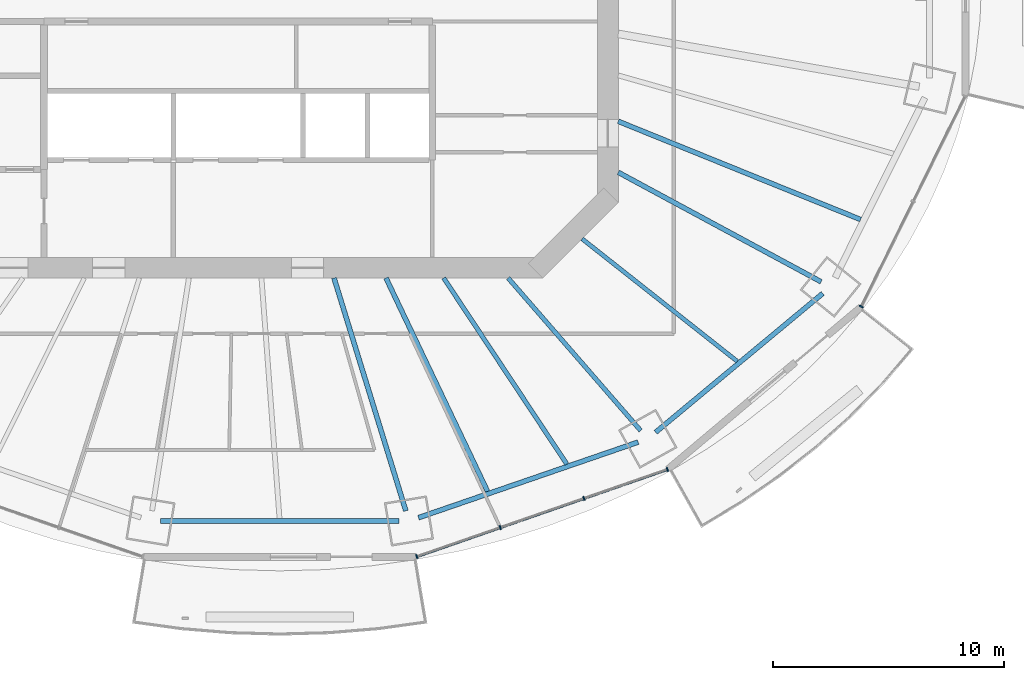
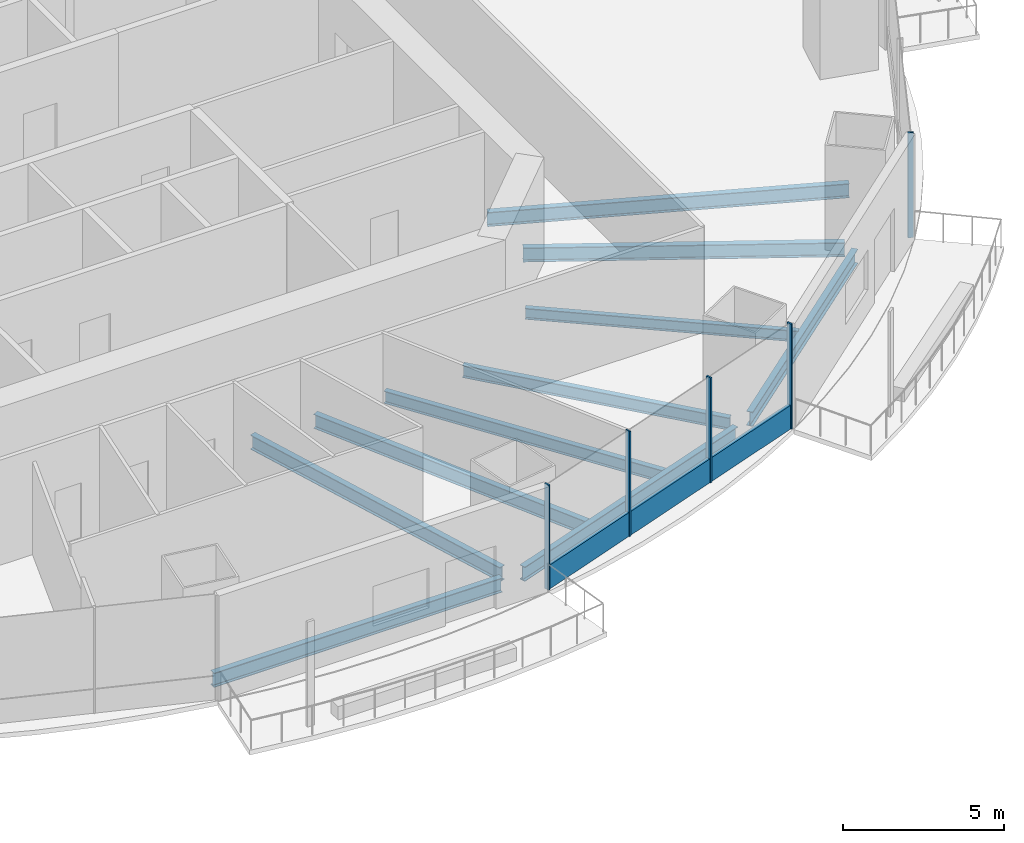
# One storey, part 4 of 19: 10 beams, 6 members, 2 elements without a shape of their own.
"""IFC4 building model written with IfcOpenShell, lengths in metres."""

import ifcopenshell
import ifcopenshell.guid

model = None  # the IFC model being written
_history = None  # IfcOwnerHistory: only IFC2X3 demands one
_inside = {}  # id of a spatial element -> (the spatial element, [elements in it])
_under = {}  # id of a project, library or spatial element -> (it, [spatial elements below it])
_declared = {}  # id of a project -> (the project, [libraries it declares])
_typed = {}  # id of a type object -> (the type object, [elements of that type])
_made_of = {}  # id of a material, layer set ... -> (it, [elements and type objects made of it])


def new_model(schema):
    """Start an empty IFC model of exactly this schema.

    Asked for "IFC4X3", IfcOpenShell would pick the latest addendum, in which some entities
    have other attributes; the version numbers below select the first issue.
    IFC2X3 requires an IfcOwnerHistory on every rooted entity: one is made here for all.
    """
    global model, _history
    if schema == "IFC4X3":
        model = ifcopenshell.file(schema_version=(4, 3, 0, 0))
    else:
        model = ifcopenshell.file(schema=schema)
    _inside.clear()
    _under.clear()
    _declared.clear()
    _typed.clear()
    _made_of.clear()
    _history = None
    if model.schema == "IFC2X3":
        org = make("IfcOrganization", Name="unknown")
        user = make(
            "IfcPersonAndOrganization",
            ThePerson=make("IfcPerson", FamilyName="unknown"),
            TheOrganization=org,
        )
        app = make(
            "IfcApplication",
            ApplicationDeveloper=org,
            Version="unknown",
            ApplicationFullName="unknown",
            ApplicationIdentifier="unknown",
        )
        _history = make(
            "IfcOwnerHistory",
            OwningUser=user,
            OwningApplication=app,
            ChangeAction="ADDED",
            CreationDate=0,
        )
    return model


def make(cls, **values):
    """One entity of the class cls with the attributes given. An attribute that is None is left unset."""
    return model.create_entity(
        cls, **{name: value for name, value in values.items() if value is not None}
    )


def rooted(cls, **values):
    """An entity with a GlobalId (a new one), such as an element, a storey or a relation."""
    return make(cls, GlobalId=ifcopenshell.guid.new(), OwnerHistory=_history, **values)


def si_unit(unit_type, name, prefix=None):
    """IfcSIUnit, for example si_unit("LENGTHUNIT", "METRE", prefix="MILLI")."""
    return make("IfcSIUnit", UnitType=unit_type, Prefix=prefix, Name=name)


def assignment(units):
    """IfcUnitAssignment: the units of a project."""
    return None if units is None else make("IfcUnitAssignment", Units=units)


def point(xyz):
    """IfcCartesianPoint."""
    return None if xyz is None else make("IfcCartesianPoint", Coordinates=xyz)


def direction(xyz):
    """IfcDirection."""
    return None if xyz is None else make("IfcDirection", DirectionRatios=xyz)


def frame(location, z_axis=None, x_axis=None):
    """IfcAxis2Placement3D, a coordinate frame: its origin and axes. An axis left out is left unset."""
    return make(
        "IfcAxis2Placement3D",
        Location=point(location),
        Axis=direction(z_axis),
        RefDirection=direction(x_axis),
    )


def frame_2d(location, x_axis=None):
    """IfcAxis2Placement2D, a coordinate frame in the plane: its origin and x axis."""
    return make(
        "IfcAxis2Placement2D", Location=point(location), RefDirection=direction(x_axis)
    )


def origin():
    """The frame at (0, 0, 0) with its axes left unset."""
    return frame((0.0, 0.0, 0.0))


def origin_2d():
    """The frame at (0, 0) in the plane with its x axis left unset."""
    return frame_2d((0.0, 0.0))


def place(relative_to, where):
    """IfcLocalPlacement: puts the frame where relative to a parent placement (None: the world)."""
    return make(
        "IfcLocalPlacement", PlacementRelTo=relative_to, RelativePlacement=where
    )


def context(
    kind, dimensions, precision=None, world=None, true_north=None, identifier=None
):
    """IfcGeometricRepresentationContext, for example the 3D "Model" context."""
    return make(
        "IfcGeometricRepresentationContext",
        ContextIdentifier=identifier,
        ContextType=kind,
        CoordinateSpaceDimension=dimensions,
        Precision=precision,
        WorldCoordinateSystem=world,
        TrueNorth=true_north,
    )


def subcontext(parent, identifier, kind, view, scale=None):
    """IfcGeometricRepresentationSubContext, for example "Body" below "Model"."""
    return make(
        "IfcGeometricRepresentationSubContext",
        ContextIdentifier=identifier,
        ContextType=kind,
        ParentContext=parent,
        TargetScale=scale,
        TargetView=view,
    )


def project(units=None, contexts=None):
    """IfcProject with its units and contexts."""
    return rooted(
        "IfcProject",
        Name="project",
        RepresentationContexts=contexts,
        UnitsInContext=assignment(units),
    )


def spatial(cls, under=None, at=None, **own):
    """A site, building, storey or space (cls), placed at a placement, below another one or the project."""
    s = rooted(cls, ObjectPlacement=at, **own)
    if under is not None:
        _under.setdefault(under.id(), (under, []))[1].append(s)
    return s


def profile(cls, at=None, kind="AREA", **sizes):
    """A parametric profile (cls). Its sizes go by their IFC names, for example OverallWidth=200.0."""
    return make(cls, ProfileType=kind, Position=at, **sizes)


def rectangle(**sizes):
    """IfcRectangleProfileDef."""
    return profile("IfcRectangleProfileDef", **sizes)


def i_section(**sizes):
    """IfcIShapeProfileDef."""
    return profile("IfcIShapeProfileDef", **sizes)


def extrude(swept, where, along, depth):
    """IfcExtrudedAreaSolid: the profile swept, set in the frame where, extruded along a direction by depth."""
    return make(
        "IfcExtrudedAreaSolid",
        SweptArea=swept,
        Position=where,
        ExtrudedDirection=direction(along),
        Depth=depth,
    )


def shape(context_of_items, identifier, shape_type, items):
    """IfcShapeRepresentation: the items that make up one representation, for example the "Body"."""
    return make(
        "IfcShapeRepresentation",
        ContextOfItems=context_of_items,
        RepresentationIdentifier=identifier,
        RepresentationType=shape_type,
        Items=items,
    )


def material(Name=None, Category=None):
    """IfcMaterial."""
    return make("IfcMaterial", Name=Name, Category=Category)


def material_profile(
    of_material, cross_section, Name=None, Category=None, Priority=None
):
    """IfcMaterialProfile: a cross section and its material."""
    return make(
        "IfcMaterialProfile",
        Name=Name,
        Material=of_material,
        Profile=cross_section,
        Priority=Priority,
        Category=Category,
    )


def profile_set(profiles, Name=None, composite=None):
    """IfcMaterialProfileSet."""
    return make(
        "IfcMaterialProfileSet",
        Name=Name,
        MaterialProfiles=profiles,
        CompositeProfile=composite,
    )


def made_of(thing, what):
    """Note that an element or type object is made of a material, layer set ...; save() writes the relation."""
    if what is not None:
        _made_of.setdefault(what.id(), (what, []))[1].append(thing)
    return thing


def type_object(cls, material=None, **own):
    """A type object (cls), such as IfcWallType, which elements share."""
    return made_of(rooted(cls, **own), material)


def element(
    cls,
    number,
    at=None,
    inside=None,
    cuts=None,
    type_object=None,
    material=None,
    context=None,
    identifier="Body",
    shape_type=None,
    held_by="IfcProductDefinitionShape",
    body=None,
    shapes=None,
    **own,
):
    """One element of the class cls, such as IfcWall. Its Tag is "e" and its number.

    at: its placement. inside: the storey or other place that contains it. cuts: it is an
    opening in that element (IfcRelVoidsElement). A single representation is given by context,
    identifier, shape_type and body (its items); several are given by shapes. held_by: the class
    of the entity that holds the representations. save() writes the other relations.
    """
    e = rooted(cls, Tag="e%d" % number, ObjectPlacement=at, **own)
    if body is not None:
        shapes = [shape(context, identifier, shape_type, body)]
    if shapes is not None:
        e.Representation = make(held_by, Representations=shapes)
    if inside is not None:
        _inside.setdefault(inside.id(), (inside, []))[1].append(e)
    if cuts is not None:
        rooted(
            "IfcRelVoidsElement", RelatingBuildingElement=cuts, RelatedOpeningElement=e
        )
    if type_object is not None:
        _typed.setdefault(type_object.id(), (type_object, []))[1].append(e)
    return made_of(e, material)


def aggregate(whole, parts):
    """IfcRelAggregates: a whole, such as a stair, and the parts it consists of."""
    return rooted("IfcRelAggregates", RelatingObject=whole, RelatedObjects=parts)


def save(model, path):
    """Write the relations noted so far, then the file.

    IfcRelAggregates (storeys below a building ...), IfcRelContainedInSpatialStructure (elements
    in a storey), IfcRelDefinesByType, IfcRelAssociatesMaterial and IfcRelDeclares: one each for
    every whole, place, type object, material and project.
    """
    for whole, parts in _under.values():
        aggregate(whole, parts)
    for where, things in _inside.values():
        rooted(
            "IfcRelContainedInSpatialStructure",
            RelatedElements=things,
            RelatingStructure=where,
        )
    for kind, things in _typed.values():
        rooted("IfcRelDefinesByType", RelatedObjects=things, RelatingType=kind)
    for what, things in _made_of.values():
        rooted("IfcRelAssociatesMaterial", RelatedObjects=things, RelatingMaterial=what)
    for by, libraries in _declared.values():
        rooted("IfcRelDeclares", RelatingContext=by, RelatedDefinitions=libraries)
    model.write(path)


model = new_model("IFC4")

# Units and contexts
model_context = context("Model", 3, precision=1e-05, world=origin(), true_north=direction((0.0, 1.0)))
body_context = subcontext(model_context, "Body", "Model", "MODEL_VIEW")
ifc_project = project(units=[si_unit("LENGTHUNIT", "METRE"), si_unit("AREAUNIT", "SQUARE_METRE"), si_unit("VOLUMEUNIT", "CUBIC_METRE"), si_unit("PLANEANGLEUNIT", "RADIAN"), si_unit("MASSUNIT", "GRAM", prefix="KILO")], contexts=[model_context])

# Site, building, storey
site_placement = place(None, origin())
site = spatial("IfcSite", under=ifc_project, at=site_placement, CompositionType="ELEMENT")
building_placement = place(site_placement, origin())
building = spatial("IfcBuilding", under=site, at=building_placement, Name="Marenthal Gate Tower", CompositionType="ELEMENT")
storey_placement = place(building_placement, frame((0.0, 0.0, 235.75)))
storey = spatial("IfcBuildingStorey", under=building, at=storey_placement, Name="L52", CompositionType="ELEMENT", Elevation=235.75)

# Curtain wall, members
ifc_material_1 = material(Name="Aluminium and glass", Category="aluminium")
curtain_wall_type = type_object("IfcCurtainWallType", Name="Curtain wall typical mid", PredefinedType="NOTDEFINED", material=ifc_material_1)
curtain_wall_1_placement = place(storey_placement, origin())
curtain_wall_1 = element("IfcCurtainWall", 1, at=curtain_wall_1_placement, inside=storey, type_object=curtain_wall_type, Name="Curtain wall L52 bay 13", PredefinedType="NOTDEFINED")
ifc_material_2 = material(Name="Aluminium", Category="aluminium")
ifc_material_profile_1 = material_profile(ifc_material_2, rectangle(XDim=0.179931640625, YDim=0.06005859375, at=origin_2d()), Name="60x180 aluminium mullion")
ifc_profile_set_1 = profile_set([ifc_material_profile_1], Name="Aluminium")
member_type_1 = type_object("IfcMemberType", Name="Mullion 60x180 typical mid", PredefinedType="MULLION", material=ifc_profile_set_1)
member_1_placement = place(storey_placement, frame((7.728759765625, -25.501220703125, 0.0), z_axis=(0.0, 0.0, 1.0), x_axis=(-0.328540448732, 0.944489901241, 0.0)))
member_1 = element("IfcMember", 2, at=member_1_placement, type_object=member_type_1, Name="Mullion L52 bay 13.1", PredefinedType="MULLION", context=body_context, shape_type="SweptSolid", body=[
    extrude(rectangle(XDim=0.179931640625, YDim=0.06005859375, at=origin_2d()), origin(), (0.0, 0.0, 1.0), 3.969970703125),
])
member_2_placement = place(storey_placement, frame((11.34423828125, -24.24365234375, 0.0), z_axis=(0.0, 0.0, 1.0), x_axis=(-0.328540448732, 0.944489901241, 0.0)))
member_2 = element("IfcMember", 3, at=member_2_placement, type_object=member_type_1, Name="Mullion L52 bay 13.2", PredefinedType="MULLION", context=body_context, shape_type="SweptSolid", body=[
    extrude(rectangle(XDim=0.179931640625, YDim=0.06005859375, at=origin_2d()), origin(), (0.0, 0.0, 1.0), 3.969970703125),
])
member_3_placement = place(storey_placement, frame((14.95947265625, -22.98583984375, 0.0), z_axis=(0.0, 0.0, 1.0), x_axis=(-0.328540448732, 0.944489901241, 0.0)))
member_3 = element("IfcMember", 4, at=member_3_placement, type_object=member_type_1, Name="Mullion L52 bay 13.3", PredefinedType="MULLION", context=body_context, shape_type="SweptSolid", body=[
    extrude(rectangle(XDim=0.179931640625, YDim=0.06005859375, at=origin_2d()), origin(), (0.0, 0.0, 1.0), 3.969970703125),
])
member_4_placement = place(storey_placement, frame((18.574951171875, -21.728271484375, 0.0), z_axis=(0.0, 0.0, 1.0), x_axis=(-0.328540448732, 0.944489901241, 0.0)))
member_4 = element("IfcMember", 5, at=member_4_placement, type_object=member_type_1, Name="Mullion L52 bay 13.4", PredefinedType="MULLION", context=body_context, shape_type="SweptSolid", body=[
    extrude(rectangle(XDim=0.179931640625, YDim=0.06005859375, at=origin_2d()), origin(), (0.0, 0.0, 1.0), 3.969970703125),
])

# Curtain wall, member
curtain_wall_2_placement = place(storey_placement, origin())
curtain_wall_2 = element("IfcCurtainWall", 6, at=curtain_wall_2_placement, inside=storey, type_object=curtain_wall_type, Name="Curtain wall L52 bay 15", PredefinedType="NOTDEFINED")
member_5_placement = place(storey_placement, frame((26.961181640625, -14.68408203125, 0.0), z_axis=(0.0, 0.0, 1.0), x_axis=(-0.896835471663, 0.442364258013, 0.0)))
member_5 = element("IfcMember", 7, at=member_5_placement, type_object=member_type_1, Name="Mullion L52 bay 15.1", PredefinedType="MULLION", context=body_context, shape_type="SweptSolid", body=[
    extrude(rectangle(XDim=0.179931640625, YDim=0.06005859375, at=origin_2d()), origin(), (0.0, 0.0, 1.0), 3.969970703125),
])
aggregate(curtain_wall_2, [member_5])

# Member
ifc_material_3 = material(Name="Aluminium", Category="aluminium")
ifc_material_profile_2 = material_profile(ifc_material_3, rectangle(XDim=0.1201171875, YDim=0.89990234375, at=origin_2d()), Name="120x900 aluminium transom")
ifc_profile_set_2 = profile_set([ifc_material_profile_2], Name="Aluminium")
member_type_2 = type_object("IfcMemberType", Name="Transom 120x900 typical mid", PredefinedType="USERDEFINED", material=ifc_profile_set_2)
member_6_placement = place(storey_placement, frame((7.757080078125, -25.4912109375, 0.449951171875), z_axis=(0.944495643428, 0.328523940598, 0.0), x_axis=(-0.328523940598, 0.944495643428, 0.0)))
member_6 = element("IfcMember", 8, at=member_6_placement, type_object=member_type_2, Name="Transom L52 bay 13", ObjectType="TRANSOM", PredefinedType="USERDEFINED", context=body_context, shape_type="SweptSolid", body=[
    extrude(rectangle(XDim=0.1201171875, YDim=0.89990234375, at=origin_2d()), origin(), (0.0, 0.0, 1.0), 11.423583984375),
])

aggregate(curtain_wall_1, [member_1, member_2, member_3, member_4, member_6])

# Beams
ifc_material_4 = material(Name="Steel S355", Category="steel")
ifc_material_profile_3 = material_profile(ifc_material_4, i_section(OverallWidth=0.180908203125, OverallDepth=0.4169921875, WebThickness=0.010986328125, FlangeThickness=0.018310546875, FilletRadius=0.01025390625, at=origin_2d()), Name="W410X85")
ifc_profile_set_3 = profile_set([ifc_material_profile_3], Name="Steel S355")
beam_type_1 = type_object("IfcBeamType", Name="W410X85 beam", PredefinedType="BEAM", material=ifc_profile_set_3)
beam_1_placement = place(storey_placement, frame((21.5947265625, -17.0517578125, -0.388427734375), z_axis=(-0.784827949128, 0.619713716379, 0.0), x_axis=(-0.619713716379, -0.784827949128, 0.0)))
element("IfcBeam", 9, at=beam_1_placement, inside=storey, type_object=beam_type_1, Name="BM-L52-37", PredefinedType="BEAM", context=body_context, shape_type="SweptSolid", body=[
    extrude(i_section(OverallWidth=0.180908203125, OverallDepth=0.4169921875, WebThickness=0.010986328125, FlangeThickness=0.018310546875, FilletRadius=0.01025390625, at=origin_2d()), origin(), (0.0, 0.0, 1.0), 8.55078125),
])
ifc_material_5 = material(Name="Steel S355", Category="steel")
ifc_material_profile_4 = material_profile(ifc_material_5, i_section(OverallWidth=0.193115234375, OverallDepth=0.467041015625, WebThickness=0.011474609375, FlangeThickness=0.01904296875, FilletRadius=0.010009765625, at=origin_2d()), Name="W460X97")
ifc_profile_set_4 = profile_set([ifc_material_profile_4], Name="Steel S355")
beam_type_2 = type_object("IfcBeamType", Name="W460X97 beam", PredefinedType="BEAM", material=ifc_profile_set_4)
beam_2_placement = place(storey_placement, frame((17.41650390625, -20.04931640625, -0.41357421875), z_axis=(-0.655793490166, 0.754940327613, 0.0), x_axis=(-0.754940327613, -0.655793490166, 0.0)))
element("IfcBeam", 10, at=beam_2_placement, inside=storey, type_object=beam_type_2, Name="BM-L52-14", PredefinedType="BEAM", context=body_context, shape_type="SweptSolid", body=[
    extrude(i_section(OverallWidth=0.193115234375, OverallDepth=0.467041015625, WebThickness=0.011474609375, FlangeThickness=0.01904296875, FilletRadius=0.010009765625, at=origin_2d()), origin(), (0.0, 0.0, 1.0), 8.741455078125),
])
beam_3_placement = place(storey_placement, frame((14.220703125, -21.4990234375, -0.41357421875), z_axis=(-0.551695872775, 0.834045360855, 0.0), x_axis=(-0.834045360855, -0.551695872775, 0.0)))
element("IfcBeam", 11, at=beam_3_placement, inside=storey, type_object=beam_type_2, Name="BM-L52-36", PredefinedType="BEAM", context=body_context, shape_type="SweptSolid", body=[
    extrude(i_section(OverallWidth=0.193115234375, OverallDepth=0.467041015625, WebThickness=0.011474609375, FlangeThickness=0.01904296875, FilletRadius=0.010009765625, at=origin_2d()), origin(), (0.0, 0.0, 1.0), 9.650634765625),
])
ifc_material_6 = material(Name="Steel S355", Category="steel")
ifc_material_profile_5 = material_profile(ifc_material_6, i_section(OverallWidth=0.2099609375, OverallDepth=0.535888671875, WebThickness=0.010986328125, FlangeThickness=0.017333984375, FilletRadius=0.0126953125, at=origin_2d()), Name="W530X101")
ifc_profile_set_5 = profile_set([ifc_material_profile_5], Name="Steel S355")
beam_type_3 = type_object("IfcBeamType", Name="W530X101 beam", PredefinedType="BEAM", material=ifc_profile_set_5)
beam_4_placement = place(storey_placement, frame((25.22412109375, -13.61181640625, -0.447998046875), z_axis=(-0.880039066963, 0.474901295659, 0.0), x_axis=(-0.474901295659, -0.880039066963, 0.0)))
element("IfcBeam", 12, at=beam_4_placement, inside=storey, type_object=beam_type_3, Name="BM-L52-15", PredefinedType="BEAM", context=body_context, shape_type="SweptSolid", body=[
    extrude(i_section(OverallWidth=0.2099609375, OverallDepth=0.535888671875, WebThickness=0.010986328125, FlangeThickness=0.017333984375, FilletRadius=0.0126953125, at=origin_2d()), origin(), (0.0, 0.0, 1.0), 9.97021484375),
])
beam_5_placement = place(storey_placement, frame((10.790771484375, -22.679443359375, -0.447998046875), z_axis=(-0.429643345943, 0.902998668485, 0.0), x_axis=(-0.902998668485, -0.429643345943, 0.0)))
element("IfcBeam", 13, at=beam_5_placement, inside=storey, type_object=beam_type_3, Name="BM-L52-35", PredefinedType="BEAM", context=body_context, shape_type="SweptSolid", body=[
    extrude(i_section(OverallWidth=0.2099609375, OverallDepth=0.535888671875, WebThickness=0.010986328125, FlangeThickness=0.017333984375, FilletRadius=0.0126953125, at=origin_2d()), origin(), (0.0, 0.0, 1.0), 10.220947265625),
])
beam_6_placement = place(storey_placement, frame((26.93115234375, -10.91845703125, -0.447998046875), z_axis=(-0.926735205443, 0.375715130109, 0.0), x_axis=(-0.375715130109, -0.926735205443, 0.0)))
element("IfcBeam", 14, at=beam_6_placement, inside=storey, type_object=beam_type_3, Name="BM-L52-38", PredefinedType="BEAM", context=body_context, shape_type="SweptSolid", body=[
    extrude(i_section(OverallWidth=0.2099609375, OverallDepth=0.535888671875, WebThickness=0.010986328125, FlangeThickness=0.017333984375, FilletRadius=0.0126953125, at=origin_2d()), origin(), (0.0, 0.0, 1.0), 11.309814453125),
])
ifc_material_7 = material(Name="Steel S355", Category="steel")
ifc_material_profile_6 = material_profile(ifc_material_7, i_section(OverallWidth=0.2119140625, OverallDepth=0.5439453125, WebThickness=0.01318359375, FlangeThickness=0.021240234375, FilletRadius=0.0126953125, at=origin_2d()), Name="W530X123")
ifc_profile_set_6 = profile_set([ifc_material_profile_6], Name="Steel S355")
beam_type_4 = type_object("IfcBeamType", Name="W530X123 beam", PredefinedType="BEAM", material=ifc_profile_set_6)
beam_7_placement = place(storey_placement, frame((7.257080078125, -23.52294921875, -0.451904296875), z_axis=(-0.294803475144, 0.955557905646, 0.0), x_axis=(-0.955557905646, -0.294803475144, 0.0)))
element("IfcBeam", 15, at=beam_7_placement, inside=storey, type_object=beam_type_4, Name="BM-L52-13", PredefinedType="BEAM", context=body_context, shape_type="SweptSolid", body=[
    extrude(i_section(OverallWidth=0.2119140625, OverallDepth=0.5439453125, WebThickness=0.01318359375, FlangeThickness=0.021240234375, FilletRadius=0.0126953125, at=origin_2d()), origin(), (0.0, 0.0, 1.0), 10.54150390625),
])
beam_8_placement = place(storey_placement, frame((-3.354736328125, -23.961181640625, -0.451904296875), z_axis=(1.0, 0.0, 0.0), x_axis=(0.0, 1.0, 0.0)))
element("IfcBeam", 16, at=beam_8_placement, inside=storey, type_object=beam_type_4, Name="BM-L52-52", PredefinedType="BEAM", context=body_context, shape_type="SweptSolid", body=[
    extrude(i_section(OverallWidth=0.2119140625, OverallDepth=0.5439453125, WebThickness=0.01318359375, FlangeThickness=0.021240234375, FilletRadius=0.0126953125, at=origin_2d()), origin(), (0.0, 0.0, 1.0), 10.3095703125),
])
beam_9_placement = place(storey_placement, frame((7.806640625, -23.818603515625, -0.451904296875), z_axis=(0.945563077228, 0.325438883638, 0.0), x_axis=(-0.325438883638, 0.945563077228, 0.0)))
element("IfcBeam", 17, at=beam_9_placement, inside=storey, type_object=beam_type_4, Name="BM-L52-53", PredefinedType="BEAM", context=body_context, shape_type="SweptSolid", body=[
    extrude(i_section(OverallWidth=0.2119140625, OverallDepth=0.5439453125, WebThickness=0.01318359375, FlangeThickness=0.021240234375, FilletRadius=0.0126953125, at=origin_2d()), origin(), (0.0, 0.0, 1.0), 10.05029296875),
])
beam_10_placement = place(storey_placement, frame((18.064697265625, -20.122802734375, -0.451904296875), z_axis=(0.769123379534, 0.639100326282, 0.0), x_axis=(-0.639100326282, 0.769123379534, 0.0)))
element("IfcBeam", 18, at=beam_10_placement, inside=storey, type_object=beam_type_4, Name="BM-L52-54", PredefinedType="BEAM", context=body_context, shape_type="SweptSolid", body=[
    extrude(i_section(OverallWidth=0.2119140625, OverallDepth=0.5439453125, WebThickness=0.01318359375, FlangeThickness=0.021240234375, FilletRadius=0.0126953125, at=origin_2d()), origin(), (0.0, 0.0, 1.0), 9.397705078125),
])

save(model, "model.ifc")
